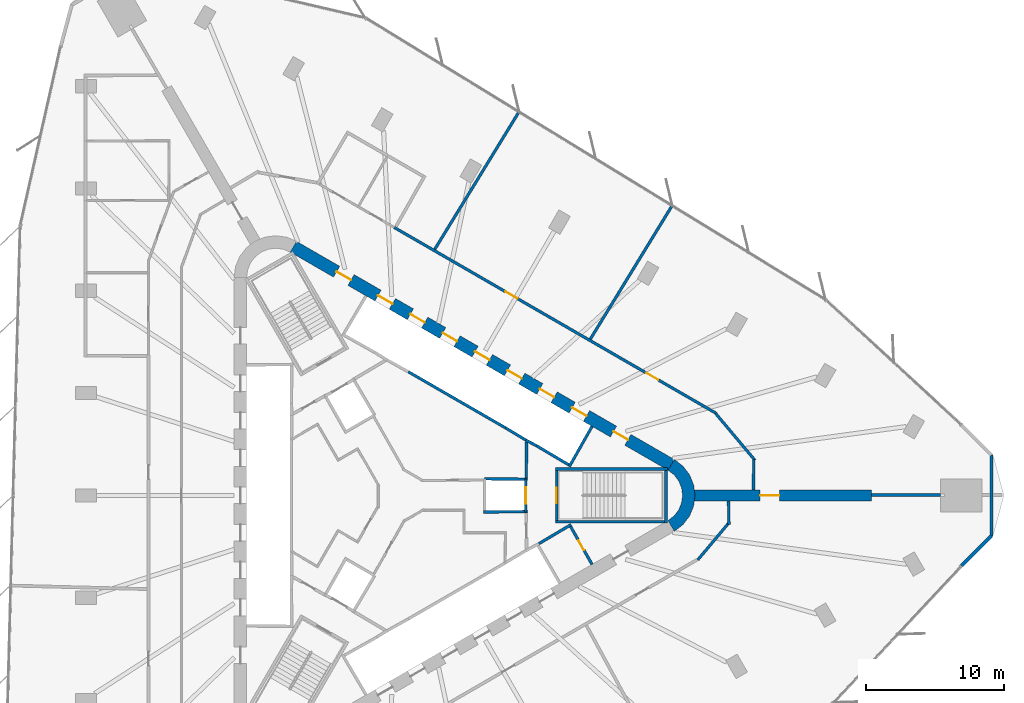
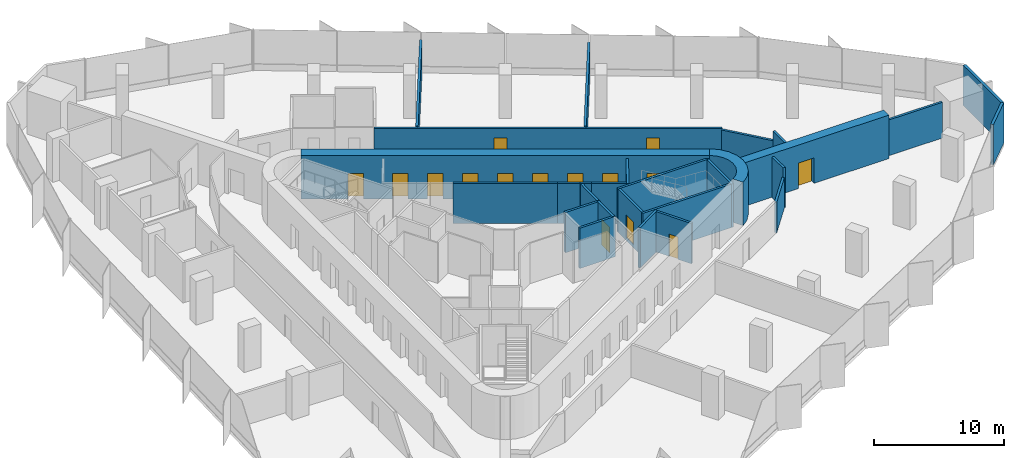
# One storey, part 12 of 14: 28 walls, 15 doors, 15 openings.
"""IFC4 building model written with IfcOpenShell, lengths in metres."""

import ifcopenshell
import ifcopenshell.guid

model = None  # the IFC model being written
_history = None  # IfcOwnerHistory: only IFC2X3 demands one
_inside = {}  # id of a spatial element -> (the spatial element, [elements in it])
_under = {}  # id of a project, library or spatial element -> (it, [spatial elements below it])
_declared = {}  # id of a project -> (the project, [libraries it declares])
_typed = {}  # id of a type object -> (the type object, [elements of that type])
_made_of = {}  # id of a material, layer set ... -> (it, [elements and type objects made of it])


def new_model(schema):
    """Start an empty IFC model of exactly this schema.

    Asked for "IFC4X3", IfcOpenShell would pick the latest addendum, in which some entities
    have other attributes; the version numbers below select the first issue.
    IFC2X3 requires an IfcOwnerHistory on every rooted entity: one is made here for all.
    """
    global model, _history
    if schema == "IFC4X3":
        model = ifcopenshell.file(schema_version=(4, 3, 0, 0))
    else:
        model = ifcopenshell.file(schema=schema)
    _inside.clear()
    _under.clear()
    _declared.clear()
    _typed.clear()
    _made_of.clear()
    _history = None
    if model.schema == "IFC2X3":
        org = make("IfcOrganization", Name="unknown")
        user = make(
            "IfcPersonAndOrganization",
            ThePerson=make("IfcPerson", FamilyName="unknown"),
            TheOrganization=org,
        )
        app = make(
            "IfcApplication",
            ApplicationDeveloper=org,
            Version="unknown",
            ApplicationFullName="unknown",
            ApplicationIdentifier="unknown",
        )
        _history = make(
            "IfcOwnerHistory",
            OwningUser=user,
            OwningApplication=app,
            ChangeAction="ADDED",
            CreationDate=0,
        )
    return model


def make(cls, **values):
    """One entity of the class cls with the attributes given. An attribute that is None is left unset."""
    return model.create_entity(
        cls, **{name: value for name, value in values.items() if value is not None}
    )


def rooted(cls, **values):
    """An entity with a GlobalId (a new one), such as an element, a storey or a relation."""
    return make(cls, GlobalId=ifcopenshell.guid.new(), OwnerHistory=_history, **values)


def si_unit(unit_type, name, prefix=None):
    """IfcSIUnit, for example si_unit("LENGTHUNIT", "METRE", prefix="MILLI")."""
    return make("IfcSIUnit", UnitType=unit_type, Prefix=prefix, Name=name)


def assignment(units):
    """IfcUnitAssignment: the units of a project."""
    return None if units is None else make("IfcUnitAssignment", Units=units)


def point(xyz):
    """IfcCartesianPoint."""
    return None if xyz is None else make("IfcCartesianPoint", Coordinates=xyz)


def direction(xyz):
    """IfcDirection."""
    return None if xyz is None else make("IfcDirection", DirectionRatios=xyz)


def frame(location, z_axis=None, x_axis=None):
    """IfcAxis2Placement3D, a coordinate frame: its origin and axes. An axis left out is left unset."""
    return make(
        "IfcAxis2Placement3D",
        Location=point(location),
        Axis=direction(z_axis),
        RefDirection=direction(x_axis),
    )


def frame_2d(location, x_axis=None):
    """IfcAxis2Placement2D, a coordinate frame in the plane: its origin and x axis."""
    return make(
        "IfcAxis2Placement2D", Location=point(location), RefDirection=direction(x_axis)
    )


def origin():
    """The frame at (0, 0, 0) with its axes left unset."""
    return frame((0.0, 0.0, 0.0))


def place(relative_to, where):
    """IfcLocalPlacement: puts the frame where relative to a parent placement (None: the world)."""
    return make(
        "IfcLocalPlacement", PlacementRelTo=relative_to, RelativePlacement=where
    )


def context(
    kind, dimensions, precision=None, world=None, true_north=None, identifier=None
):
    """IfcGeometricRepresentationContext, for example the 3D "Model" context."""
    return make(
        "IfcGeometricRepresentationContext",
        ContextIdentifier=identifier,
        ContextType=kind,
        CoordinateSpaceDimension=dimensions,
        Precision=precision,
        WorldCoordinateSystem=world,
        TrueNorth=true_north,
    )


def subcontext(parent, identifier, kind, view, scale=None):
    """IfcGeometricRepresentationSubContext, for example "Body" below "Model"."""
    return make(
        "IfcGeometricRepresentationSubContext",
        ContextIdentifier=identifier,
        ContextType=kind,
        ParentContext=parent,
        TargetScale=scale,
        TargetView=view,
    )


def project(units=None, contexts=None):
    """IfcProject with its units and contexts."""
    return rooted(
        "IfcProject",
        Name="project",
        RepresentationContexts=contexts,
        UnitsInContext=assignment(units),
    )


def spatial(cls, under=None, at=None, **own):
    """A site, building, storey or space (cls), placed at a placement, below another one or the project."""
    s = rooted(cls, ObjectPlacement=at, **own)
    if under is not None:
        _under.setdefault(under.id(), (under, []))[1].append(s)
    return s


def polyline(points):
    """IfcPolyline through the points."""
    return make("IfcPolyline", Points=[point(p) for p in points])


def profile(cls, at=None, kind="AREA", **sizes):
    """A parametric profile (cls). Its sizes go by their IFC names, for example OverallWidth=200.0."""
    return make(cls, ProfileType=kind, Position=at, **sizes)


def rectangle(**sizes):
    """IfcRectangleProfileDef."""
    return profile("IfcRectangleProfileDef", **sizes)


def outline(outer, holes=None, kind="AREA"):
    """IfcArbitraryClosedProfileDef: a profile drawn as a closed curve; with holes, ...WithVoids."""
    if holes is None:
        return make("IfcArbitraryClosedProfileDef", ProfileType=kind, OuterCurve=outer)
    return make(
        "IfcArbitraryProfileDefWithVoids",
        ProfileType=kind,
        OuterCurve=outer,
        InnerCurves=holes,
    )


def extrude(swept, where, along, depth):
    """IfcExtrudedAreaSolid: the profile swept, set in the frame where, extruded along a direction by depth."""
    return make(
        "IfcExtrudedAreaSolid",
        SweptArea=swept,
        Position=where,
        ExtrudedDirection=direction(along),
        Depth=depth,
    )


def shape(context_of_items, identifier, shape_type, items):
    """IfcShapeRepresentation: the items that make up one representation, for example the "Body"."""
    return make(
        "IfcShapeRepresentation",
        ContextOfItems=context_of_items,
        RepresentationIdentifier=identifier,
        RepresentationType=shape_type,
        Items=items,
    )


def material(Name=None, Category=None):
    """IfcMaterial."""
    return make("IfcMaterial", Name=Name, Category=Category)


def layer(
    of_material, thickness, ventilated=None, Name=None, Category=None, Priority=None
):
    """IfcMaterialLayer: one layer of a wall or slab, of a material (None: an air gap)."""
    return make(
        "IfcMaterialLayer",
        Material=of_material,
        LayerThickness=thickness,
        IsVentilated=ventilated,
        Name=Name,
        Category=Category,
        Priority=Priority,
    )


def layer_set(layers, Name=None):
    """IfcMaterialLayerSet."""
    return make("IfcMaterialLayerSet", MaterialLayers=layers, LayerSetName=Name)


def made_of(thing, what):
    """Note that an element or type object is made of a material, layer set ...; save() writes the relation."""
    if what is not None:
        _made_of.setdefault(what.id(), (what, []))[1].append(thing)
    return thing


def type_object(cls, material=None, **own):
    """A type object (cls), such as IfcWallType, which elements share."""
    return made_of(rooted(cls, **own), material)


def element(
    cls,
    number,
    at=None,
    inside=None,
    cuts=None,
    type_object=None,
    material=None,
    context=None,
    identifier="Body",
    shape_type=None,
    held_by="IfcProductDefinitionShape",
    body=None,
    shapes=None,
    **own,
):
    """One element of the class cls, such as IfcWall. Its Tag is "e" and its number.

    at: its placement. inside: the storey or other place that contains it. cuts: it is an
    opening in that element (IfcRelVoidsElement). A single representation is given by context,
    identifier, shape_type and body (its items); several are given by shapes. held_by: the class
    of the entity that holds the representations. save() writes the other relations.
    """
    e = rooted(cls, Tag="e%d" % number, ObjectPlacement=at, **own)
    if body is not None:
        shapes = [shape(context, identifier, shape_type, body)]
    if shapes is not None:
        e.Representation = make(held_by, Representations=shapes)
    if inside is not None:
        _inside.setdefault(inside.id(), (inside, []))[1].append(e)
    if cuts is not None:
        rooted(
            "IfcRelVoidsElement", RelatingBuildingElement=cuts, RelatedOpeningElement=e
        )
    if type_object is not None:
        _typed.setdefault(type_object.id(), (type_object, []))[1].append(e)
    return made_of(e, material)


def fill(opening, filler):
    """IfcRelFillsElement: the door or window that sits in an opening."""
    return rooted(
        "IfcRelFillsElement",
        RelatingOpeningElement=opening,
        RelatedBuildingElement=filler,
    )


def aggregate(whole, parts):
    """IfcRelAggregates: a whole, such as a stair, and the parts it consists of."""
    return rooted("IfcRelAggregates", RelatingObject=whole, RelatedObjects=parts)


def save(model, path):
    """Write the relations noted so far, then the file.

    IfcRelAggregates (storeys below a building ...), IfcRelContainedInSpatialStructure (elements
    in a storey), IfcRelDefinesByType, IfcRelAssociatesMaterial and IfcRelDeclares: one each for
    every whole, place, type object, material and project.
    """
    for whole, parts in _under.values():
        aggregate(whole, parts)
    for where, things in _inside.values():
        rooted(
            "IfcRelContainedInSpatialStructure",
            RelatedElements=things,
            RelatingStructure=where,
        )
    for kind, things in _typed.values():
        rooted("IfcRelDefinesByType", RelatedObjects=things, RelatingType=kind)
    for what, things in _made_of.values():
        rooted("IfcRelAssociatesMaterial", RelatedObjects=things, RelatingMaterial=what)
    for by, libraries in _declared.values():
        rooted("IfcRelDeclares", RelatingContext=by, RelatedDefinitions=libraries)
    model.write(path)


model = new_model("IFC4")

# Units and contexts
model_context = context("Model", 3, precision=1e-05, world=origin(), true_north=direction((0.0, 1.0)))
body_context = subcontext(model_context, "Body", "Model", "MODEL_VIEW")
ifc_project = project(units=[si_unit("LENGTHUNIT", "METRE"), si_unit("AREAUNIT", "SQUARE_METRE"), si_unit("VOLUMEUNIT", "CUBIC_METRE"), si_unit("PLANEANGLEUNIT", "RADIAN"), si_unit("MASSUNIT", "GRAM", prefix="KILO")], contexts=[model_context])

# Site, building, storey
site_placement = place(None, origin())
site = spatial("IfcSite", under=ifc_project, at=site_placement, CompositionType="ELEMENT")
building_placement = place(site_placement, origin())
building = spatial("IfcBuilding", under=site, at=building_placement, Name="Tanit Gate Tower", CompositionType="ELEMENT")
storey_placement = place(building_placement, frame((0.0, 0.0, 119.300048828125)))
storey = spatial("IfcBuildingStorey", under=building, at=storey_placement, Name="L25", CompositionType="ELEMENT", Elevation=119.300048828125)

# Wall, opening, door
ifc_material_1 = material(Name="Concrete C60/75", Category="concrete")
ifc_layer_1 = layer(ifc_material_1, 0.800048828125)
ifc_layer_set_1 = layer_set([ifc_layer_1], Name="BUTTRESS FIN 800 C60/75")
wall_type_1 = type_object("IfcWallType", Name="BUTTRESS FIN 800 C60/75", PredefinedType="SHEAR", material=ifc_layer_set_1)
wall_1_placement = place(storey_placement, frame((21.14990234375, 0.0, 0.0), z_axis=(0.0, 0.0, 1.0), x_axis=(1.0, 0.0, 0.0)))
wall_1 = element("IfcWall", 1, at=wall_1_placement, inside=storey, type_object=wall_type_1, Name="BUTTRESS FIN", PredefinedType="SHEAR", context=body_context, shape_type="SweptSolid", body=[
    extrude(rectangle(XDim=12.8125, YDim=0.800048828125, at=frame_2d((6.40625, 0.0))), origin(), (0.0, 0.0, 1.0), 4.099853515625),
])
opening_1_placement = place(wall_1_placement, frame((4.75, 0.0, 0.0)))
opening_1 = element("IfcOpeningElement", 2, at=opening_1_placement, cuts=wall_1, Name="Opening P14-S06-F-E-1", PredefinedType="OPENING", context=body_context, shape_type="SweptSolid", body=[
    extrude(rectangle(XDim=1.39990234375, YDim=2.39990234375, at=frame_2d((0.699951171875, 1.199951171875))), frame((0.0, 0.41015625, 0.0), z_axis=(0.0, -1.0, 0.0), x_axis=(1.0, 0.0, 0.0)), (0.0, 0.0, 1.0), 0.820068359375),
])
ifc_material_2 = material(Name="Timber door leaf", Category="wood")
door_type_1 = type_object("IfcDoorType", Name="INT-DOOR-FIN-PAIR-1400", OperationType="NOTDEFINED", PredefinedType="NOTDEFINED", material=ifc_material_2)
door_1_placement = place(opening_1_placement, origin())
door_1 = element("IfcDoor", 3, at=door_1_placement, inside=storey, type_object=door_type_1, Name="Door P14-S06-F-E-1", OperationType="DOUBLE_DOOR_SINGLE_SWING", OverallHeight=2.39990234375, OverallWidth=1.39990234375, PredefinedType="NOTDEFINED", context=body_context, shape_type="SweptSolid", body=[
    extrude(rectangle(XDim=1.39990234375, YDim=2.39990234375, at=frame_2d((0.699951171875, 1.199951171875))), frame((0.0, 0.02490234375, 0.0), z_axis=(0.0, -1.0, 0.0), x_axis=(1.0, 0.0, 0.0)), (0.0, 0.0, 1.0), 0.050048828125),
])
fill(opening_1, door_1)

# Wall, openings, doors
ifc_material_3 = material(Name="Concrete C60/75", Category="concrete")
ifc_layer_2 = layer(ifc_material_3, 0.89990234375)
ifc_layer_set_2 = layer_set([ifc_layer_2], Name="CORE WALL 900 C60/75")
wall_type_2 = type_object("IfcWallType", Name="CORE WALL 900 C60/75", PredefinedType="SHEAR", material=ifc_layer_set_2)
wall_2_placement = place(storey_placement, frame((19.47509765625, 2.20849609375, 0.0), z_axis=(0.0, 0.0, 1.0), x_axis=(-0.866028369851, 0.499994862586, 0.0)))
wall_2 = element("IfcWall", 4, at=wall_2_placement, inside=storey, type_object=wall_type_2, Name="CORE WALL", PredefinedType="SHEAR", context=body_context, shape_type="SweptSolid", body=[
    extrude(rectangle(XDim=31.523193359375, YDim=0.89990234375, at=frame_2d((15.76171875, 0.0))), origin(), (0.0, 0.0, 1.0), 4.099853515625),
])
opening_2_placement = place(wall_2_placement, frame((7.0615234375, 0.0, 0.0)))
opening_2 = element("IfcOpeningElement", 5, at=opening_2_placement, cuts=wall_2, Name="Opening LDLL8-S06", PredefinedType="OPENING", context=body_context, shape_type="SweptSolid", body=[
    extrude(rectangle(XDim=1.199951171875, YDim=2.39990234375, at=frame_2d((0.60009765625, 1.199951171875))), frame((0.0, 0.4599609375, 0.0), z_axis=(0.0, -1.0, 0.0), x_axis=(1.0, 0.0, 0.0)), (0.0, 0.0, 1.0), 0.919921875),
])
opening_3_placement = place(wall_2_placement, frame((9.76171875, 0.0, 0.0)))
opening_3 = element("IfcOpeningElement", 6, at=opening_3_placement, cuts=wall_2, Name="Opening LDLL9-S06", PredefinedType="OPENING", context=body_context, shape_type="SweptSolid", body=[
    extrude(rectangle(XDim=1.199951171875, YDim=2.39990234375, at=frame_2d((0.60009765625, 1.199951171875))), frame((0.0, 0.4599609375, 0.0), z_axis=(0.0, -1.0, 0.0), x_axis=(1.0, 0.0, 0.0)), (0.0, 0.0, 1.0), 0.919921875),
])
opening_4_placement = place(wall_2_placement, frame((12.461669921875, 0.0, 0.0)))
opening_4 = element("IfcOpeningElement", 7, at=opening_4_placement, cuts=wall_2, Name="Opening LDLL10-S06", PredefinedType="OPENING", context=body_context, shape_type="SweptSolid", body=[
    extrude(rectangle(XDim=1.199951171875, YDim=2.39990234375, at=frame_2d((0.60009765625, 1.199951171875))), frame((0.0, 0.4599609375, 0.0), z_axis=(0.0, -1.0, 0.0), x_axis=(1.0, 0.0, 0.0)), (0.0, 0.0, 1.0), 0.919921875),
])
opening_5_placement = place(wall_2_placement, frame((15.16162109375, 0.0, 0.0)))
opening_5 = element("IfcOpeningElement", 8, at=opening_5_placement, cuts=wall_2, Name="Opening LDSL1-S06", PredefinedType="OPENING", context=body_context, shape_type="SweptSolid", body=[
    extrude(rectangle(XDim=1.199951171875, YDim=2.39990234375, at=frame_2d((0.60009765625, 1.199951171875))), frame((0.0, 0.4599609375, 0.0), z_axis=(0.0, -1.0, 0.0), x_axis=(1.0, 0.0, 0.0)), (0.0, 0.0, 1.0), 0.919921875),
])
opening_6_placement = place(wall_2_placement, frame((17.861572265625, 0.0, 0.0)))
opening_6 = element("IfcOpeningElement", 9, at=opening_6_placement, cuts=wall_2, Name="Opening LDSL2-S06", PredefinedType="OPENING", context=body_context, shape_type="SweptSolid", body=[
    extrude(rectangle(XDim=1.199951171875, YDim=2.39990234375, at=frame_2d((0.60009765625, 1.199951171875))), frame((0.0, 0.4599609375, 0.0), z_axis=(0.0, -1.0, 0.0), x_axis=(1.0, 0.0, 0.0)), (0.0, 0.0, 1.0), 0.919921875),
])
opening_7_placement = place(wall_2_placement, frame((20.5615234375, 0.0, 0.0)))
opening_7 = element("IfcOpeningElement", 10, at=opening_7_placement, cuts=wall_2, Name="Opening LDSL3-S06", PredefinedType="OPENING", context=body_context, shape_type="SweptSolid", body=[
    extrude(rectangle(XDim=1.199951171875, YDim=2.39990234375, at=frame_2d((0.60009765625, 1.199951171875))), frame((0.0, 0.4599609375, 0.0), z_axis=(0.0, -1.0, 0.0), x_axis=(1.0, 0.0, 0.0)), (0.0, 0.0, 1.0), 0.919921875),
])
opening_8_placement = place(wall_2_placement, frame((23.26171875, 0.0, 0.0)))
opening_8 = element("IfcOpeningElement", 11, at=opening_8_placement, cuts=wall_2, Name="Opening LDSL4-S06", PredefinedType="OPENING", context=body_context, shape_type="SweptSolid", body=[
    extrude(rectangle(XDim=1.199951171875, YDim=2.39990234375, at=frame_2d((0.60009765625, 1.199951171875))), frame((0.0, 0.4599609375, 0.0), z_axis=(0.0, -1.0, 0.0), x_axis=(1.0, 0.0, 0.0)), (0.0, 0.0, 1.0), 0.919921875),
])
opening_9_placement = place(wall_2_placement, frame((3.611572265625, 0.0, 0.0)))
opening_9 = element("IfcOpeningElement", 12, at=opening_9_placement, cuts=wall_2, Name="Opening F12-S06-FL1", PredefinedType="OPENING", context=body_context, shape_type="SweptSolid", body=[
    extrude(rectangle(XDim=1.199951171875, YDim=2.39990234375, at=frame_2d((0.60009765625, 1.199951171875))), frame((0.0, 0.4599609375, 0.0), z_axis=(0.0, -1.0, 0.0), x_axis=(1.0, 0.0, 0.0)), (0.0, 0.0, 1.0), 0.919921875),
])
opening_10_placement = place(wall_2_placement, frame((26.711669921875, 0.0, 0.0)))
opening_10 = element("IfcOpeningElement", 13, at=opening_10_placement, cuts=wall_2, Name="Opening F12-S06-S2", PredefinedType="OPENING", context=body_context, shape_type="SweptSolid", body=[
    extrude(rectangle(XDim=1.199951171875, YDim=2.39990234375, at=frame_2d((0.60009765625, 1.199951171875))), frame((0.0, 0.4599609375, 0.0), z_axis=(0.0, -1.0, 0.0), x_axis=(1.0, 0.0, 0.0)), (0.0, 0.0, 1.0), 0.919921875),
])
ifc_material_4 = material(Name="Fire-rated steel door leaf", Category="steel")
door_type_2 = type_object("IfcDoorType", Name="INT-DOOR-FIRE-LOBBY-1200", OperationType="NOTDEFINED", PredefinedType="USERDEFINED", material=ifc_material_4)
door_2_placement = place(opening_9_placement, origin())
door_2 = element("IfcDoor", 14, at=door_2_placement, inside=storey, type_object=door_type_2, Name="Door F12-S06-FL1", ObjectType="FIRE DOOR", OperationType="SINGLE_SWING_RIGHT", OverallHeight=2.39990234375, OverallWidth=1.199951171875, PredefinedType="USERDEFINED", context=body_context, shape_type="SweptSolid", body=[
    extrude(rectangle(XDim=1.199951171875, YDim=2.39990234375, at=frame_2d((0.60009765625, 1.199951171875))), frame((0.0, 0.02490234375, 0.0), z_axis=(0.0, -1.0, 0.0), x_axis=(1.0, 0.0, 0.0)), (0.0, 0.0, 1.0), 0.050048828125),
])
fill(opening_9, door_2)
door_3_placement = place(opening_10_placement, origin())
door_3 = element("IfcDoor", 15, at=door_3_placement, inside=storey, type_object=door_type_2, Name="Door F12-S06-S2", ObjectType="FIRE DOOR", OperationType="SINGLE_SWING_LEFT", OverallHeight=2.39990234375, OverallWidth=1.199951171875, PredefinedType="USERDEFINED", context=body_context, shape_type="SweptSolid", body=[
    extrude(rectangle(XDim=1.199951171875, YDim=2.39990234375, at=frame_2d((0.60009765625, 1.199951171875))), frame((0.0, 0.02490234375, 0.0), z_axis=(0.0, -1.0, 0.0), x_axis=(1.0, 0.0, 0.0)), (0.0, 0.0, 1.0), 0.050048828125),
])
fill(opening_10, door_3)
ifc_material_5 = material(Name="Stainless steel sliding door leaf", Category="steel")
door_type_3 = type_object("IfcDoorType", Name="INT-DOOR-LANDING-1200", OperationType="NOTDEFINED", PredefinedType="USERDEFINED", material=ifc_material_5)
door_4_placement = place(opening_2_placement, origin())
door_4 = element("IfcDoor", 16, at=door_4_placement, inside=storey, type_object=door_type_3, Name="Door LDLL8-S06", ObjectType="LANDING DOOR", OperationType="SLIDING_TO_LEFT", OverallHeight=2.39990234375, OverallWidth=1.199951171875, PredefinedType="USERDEFINED", context=body_context, shape_type="SweptSolid", body=[
    extrude(rectangle(XDim=1.199951171875, YDim=2.39990234375, at=frame_2d((0.60009765625, 1.199951171875))), frame((0.0, 0.02490234375, 0.0), z_axis=(0.0, -1.0, 0.0), x_axis=(1.0, 0.0, 0.0)), (0.0, 0.0, 1.0), 0.050048828125),
])
fill(opening_2, door_4)
door_5_placement = place(opening_3_placement, origin())
door_5 = element("IfcDoor", 17, at=door_5_placement, inside=storey, type_object=door_type_3, Name="Door LDLL9-S06", ObjectType="LANDING DOOR", OperationType="SLIDING_TO_LEFT", OverallHeight=2.39990234375, OverallWidth=1.199951171875, PredefinedType="USERDEFINED", context=body_context, shape_type="SweptSolid", body=[
    extrude(rectangle(XDim=1.199951171875, YDim=2.39990234375, at=frame_2d((0.60009765625, 1.199951171875))), frame((0.0, 0.02490234375, 0.0), z_axis=(0.0, -1.0, 0.0), x_axis=(1.0, 0.0, 0.0)), (0.0, 0.0, 1.0), 0.050048828125),
])
fill(opening_3, door_5)
door_6_placement = place(opening_4_placement, origin())
door_6 = element("IfcDoor", 18, at=door_6_placement, inside=storey, type_object=door_type_3, Name="Door LDLL10-S06", ObjectType="LANDING DOOR", OperationType="SLIDING_TO_LEFT", OverallHeight=2.39990234375, OverallWidth=1.199951171875, PredefinedType="USERDEFINED", context=body_context, shape_type="SweptSolid", body=[
    extrude(rectangle(XDim=1.199951171875, YDim=2.39990234375, at=frame_2d((0.60009765625, 1.199951171875))), frame((0.0, 0.02490234375, 0.0), z_axis=(0.0, -1.0, 0.0), x_axis=(1.0, 0.0, 0.0)), (0.0, 0.0, 1.0), 0.050048828125),
])
fill(opening_4, door_6)
door_7_placement = place(opening_5_placement, origin())
door_7 = element("IfcDoor", 19, at=door_7_placement, inside=storey, type_object=door_type_3, Name="Door LDSL1-S06", ObjectType="LANDING DOOR", OperationType="SLIDING_TO_LEFT", OverallHeight=2.39990234375, OverallWidth=1.199951171875, PredefinedType="USERDEFINED", context=body_context, shape_type="SweptSolid", body=[
    extrude(rectangle(XDim=1.199951171875, YDim=2.39990234375, at=frame_2d((0.60009765625, 1.199951171875))), frame((0.0, 0.02490234375, 0.0), z_axis=(0.0, -1.0, 0.0), x_axis=(1.0, 0.0, 0.0)), (0.0, 0.0, 1.0), 0.050048828125),
])
fill(opening_5, door_7)
door_8_placement = place(opening_6_placement, origin())
door_8 = element("IfcDoor", 20, at=door_8_placement, inside=storey, type_object=door_type_3, Name="Door LDSL2-S06", ObjectType="LANDING DOOR", OperationType="SLIDING_TO_LEFT", OverallHeight=2.39990234375, OverallWidth=1.199951171875, PredefinedType="USERDEFINED", context=body_context, shape_type="SweptSolid", body=[
    extrude(rectangle(XDim=1.199951171875, YDim=2.39990234375, at=frame_2d((0.60009765625, 1.199951171875))), frame((0.0, 0.02490234375, 0.0), z_axis=(0.0, -1.0, 0.0), x_axis=(1.0, 0.0, 0.0)), (0.0, 0.0, 1.0), 0.050048828125),
])
fill(opening_6, door_8)
door_9_placement = place(opening_7_placement, origin())
door_9 = element("IfcDoor", 21, at=door_9_placement, inside=storey, type_object=door_type_3, Name="Door LDSL3-S06", ObjectType="LANDING DOOR", OperationType="SLIDING_TO_LEFT", OverallHeight=2.39990234375, OverallWidth=1.199951171875, PredefinedType="USERDEFINED", context=body_context, shape_type="SweptSolid", body=[
    extrude(rectangle(XDim=1.199951171875, YDim=2.39990234375, at=frame_2d((0.60009765625, 1.199951171875))), frame((0.0, 0.02490234375, 0.0), z_axis=(0.0, -1.0, 0.0), x_axis=(1.0, 0.0, 0.0)), (0.0, 0.0, 1.0), 0.050048828125),
])
fill(opening_7, door_9)
door_10_placement = place(opening_8_placement, origin())
door_10 = element("IfcDoor", 22, at=door_10_placement, inside=storey, type_object=door_type_3, Name="Door LDSL4-S06", ObjectType="LANDING DOOR", OperationType="SLIDING_TO_LEFT", OverallHeight=2.39990234375, OverallWidth=1.199951171875, PredefinedType="USERDEFINED", context=body_context, shape_type="SweptSolid", body=[
    extrude(rectangle(XDim=1.199951171875, YDim=2.39990234375, at=frame_2d((0.60009765625, 1.199951171875))), frame((0.0, 0.02490234375, 0.0), z_axis=(0.0, -1.0, 0.0), x_axis=(1.0, 0.0, 0.0)), (0.0, 0.0, 1.0), 0.050048828125),
])
fill(opening_8, door_10)

# Walls
wall_3_placement = place(storey_placement, origin())
element("IfcWall", 23, at=wall_3_placement, inside=storey, type_object=wall_type_2, Name="CORE WALL CORNER", PredefinedType="SHEAR", context=body_context, shape_type="SweptSolid", body=[
    extrude(outline(polyline([(19.699951171875, -2.59814453125), (20.3212890625, -2.121337890625), (20.798095703125, -1.5), (21.097900390625, -0.776611328125), (21.199951171875, 0.0), (21.097900390625, 0.776611328125), (20.798095703125, 1.5), (20.3212890625, 2.121337890625), (19.699951171875, 2.59814453125), (19.25, 1.818603515625), (19.684814453125, 1.48486328125), (20.018798828125, 1.050048828125), (20.228515625, 0.54345703125), (20.300048828125, 0.0), (20.228515625, -0.54345703125), (20.018798828125, -1.050048828125), (19.684814453125, -1.48486328125), (19.25, -1.818603515625), (19.699951171875, -2.59814453125)])), origin(), (0.0, 0.0, 1.0), 4.099853515625),
])
ifc_material_6 = material(Name="Concrete C30/37 with bronze anodised aluminium cladding", Category="concrete")
ifc_layer_3 = layer(ifc_material_6, 0.239990234375)
ifc_layer_set_3 = layer_set([ifc_layer_3], Name="Facade wall bronze clad 240")
wall_type_3 = type_object("IfcWallType", Name="Facade wall bronze clad 240", PredefinedType="SOLIDWALL", material=ifc_layer_set_3)
wall_4_placement = place(storey_placement, frame((40.45166015625, -5.091064453125, 0.0), z_axis=(0.0, 0.0, 1.0), x_axis=(0.707106781187, 0.707106781187, 0.0)))
element("IfcWall", 24, at=wall_4_placement, inside=storey, type_object=wall_type_3, Name="Bronze-clad facade wall L25 E.arc1", PredefinedType="SOLIDWALL", context=body_context, shape_type="SweptSolid", body=[
    extrude(rectangle(XDim=3.062744140625, YDim=0.239990234375, at=frame_2d((1.53125, 0.0))), origin(), (0.0, 0.0, 1.0), 3.800048828125),
])
wall_5_placement = place(storey_placement, frame((42.617431640625, -2.92529296875, 0.0), z_axis=(0.0, 0.0, 1.0), x_axis=(0.0, 1.0, 0.0)))
element("IfcWall", 25, at=wall_5_placement, inside=storey, type_object=wall_type_3, Name="Bronze-clad facade wall L25 E.arc2", PredefinedType="SOLIDWALL", context=body_context, shape_type="SweptSolid", body=[
    extrude(rectangle(XDim=5.8505859375, YDim=0.239990234375, at=frame_2d((2.92529296875, 0.0))), origin(), (0.0, 0.0, 1.0), 3.800048828125),
])
ifc_material_7 = material(Name="Fire-rated gypsum board partition")
ifc_layer_4 = layer(ifc_material_7, 0.199951171875)
ifc_layer_set_4 = layer_set([ifc_layer_4], Name="INT-WALL-COMPARTMENT")
wall_type_4 = type_object("IfcWallType", Name="INT-WALL-COMPARTMENT", PredefinedType="PARTITIONING", material=ifc_layer_set_4)
wall_6_placement = place(storey_placement, frame((12.244873046875, -2.10888671875, 0.0), z_axis=(0.0, 0.0, 1.0), x_axis=(-0.860414880418, -0.509594185166, 0.0)))
element("IfcWall", 26, at=wall_6_placement, inside=storey, type_object=wall_type_4, Name="Wall Compartment W057", PredefinedType="PARTITIONING", context=body_context, shape_type="SweptSolid", body=[
    extrude(rectangle(XDim=2.7001953125, YDim=0.199951171875, at=frame_2d((1.35009765625, 0.0))), origin(), (0.0, 0.0, 1.0), 3.800048828125),
])

# Wall, opening, door
wall_7_placement = place(storey_placement, frame((13.758056640625, -4.989501953125, 0.0), z_axis=(0.0, 0.0, 1.0), x_axis=(-0.491993409184, 0.87059892334, 0.0)))
wall_7 = element("IfcWall", 27, at=wall_7_placement, inside=storey, type_object=wall_type_4, Name="Wall Compartment W058", PredefinedType="PARTITIONING", context=body_context, shape_type="SweptSolid", body=[
    extrude(rectangle(XDim=3.150146484375, YDim=0.199951171875, at=frame_2d((1.5751953125, 0.0))), origin(), (0.0, 0.0, 1.0), 3.800048828125),
])
opening_11_placement = place(wall_7_placement, frame((1.175048828125, 0.0, 0.0)))
opening_11 = element("IfcOpeningElement", 28, at=opening_11_placement, cuts=wall_7, Name="Opening R08-S06-13", PredefinedType="OPENING", context=body_context, shape_type="SweptSolid", body=[
    extrude(rectangle(XDim=0.800048828125, YDim=2.10009765625, at=frame_2d((0.39990234375, 1.050048828125))), frame((0.0, 0.10986328125, 0.0), z_axis=(0.0, -1.0, 0.0), x_axis=(1.0, 0.0, 0.0)), (0.0, 0.0, 1.0), 0.219970703125),
])
ifc_material_8 = material(Name="Timber door leaf", Category="wood")
door_type_4 = type_object("IfcDoorType", Name="INT-DOOR-RISER-800", OperationType="NOTDEFINED", PredefinedType="USERDEFINED", material=ifc_material_8)
door_11_placement = place(opening_11_placement, origin())
door_11 = element("IfcDoor", 29, at=door_11_placement, inside=storey, type_object=door_type_4, Name="Door R08-S06-13", ObjectType="FIRE DOOR", OperationType="SINGLE_SWING_LEFT", OverallHeight=2.10009765625, OverallWidth=0.800048828125, PredefinedType="USERDEFINED", context=body_context, shape_type="SweptSolid", body=[
    extrude(rectangle(XDim=0.800048828125, YDim=2.10009765625, at=frame_2d((0.39990234375, 1.050048828125))), frame((0.0, 0.02490234375, 0.0), z_axis=(0.0, -1.0, 0.0), x_axis=(1.0, 0.0, 0.0)), (0.0, 0.0, 1.0), 0.050048828125),
])
fill(opening_11, door_11)

# Wall
wall_8_placement = place(storey_placement, frame((9.0009765625, 1.27001953125, 0.0), z_axis=(0.0, 0.0, 1.0), x_axis=(0.010784614026, 0.999941844359, 0.0)))
element("IfcWall", 30, at=wall_8_placement, inside=storey, type_object=wall_type_4, Name="Wall Compartment W059", PredefinedType="PARTITIONING", context=body_context, shape_type="SweptSolid", body=[
    extrude(rectangle(XDim=2.580810546875, YDim=0.199951171875, at=frame_2d((1.29052734375, 0.0))), origin(), (0.0, 0.0, 1.0), 3.800048828125),
])

# Wall, openings, doors
wall_9_placement = place(storey_placement, frame((22.727294921875, 5.930908203125, 0.0), z_axis=(0.0, 0.0, 1.0), x_axis=(-0.866024609098, 0.500001376435, 0.0)))
wall_9 = element("IfcWall", 31, at=wall_9_placement, inside=storey, type_object=wall_type_4, Name="Wall Compartment W101", PredefinedType="PARTITIONING", context=body_context, shape_type="SweptSolid", body=[
    extrude(rectangle(XDim=26.84716796875, YDim=0.199951171875, at=frame_2d((13.423583984375, 0.0))), origin(), (0.0, 0.0, 1.0), 2.97998046875),
])
opening_12_placement = place(wall_9_placement, frame((16.57763671875, 0.0, 0.0)))
opening_12 = element("IfcOpeningElement", 32, at=opening_12_placement, cuts=wall_9, Name="Opening F10-S06-24", PredefinedType="OPENING", context=body_context, shape_type="SweptSolid", body=[
    extrude(rectangle(XDim=1.0, YDim=2.10009765625, at=frame_2d((0.5, 1.050048828125))), frame((0.0, 0.10986328125, 0.0), z_axis=(0.0, -1.0, 0.0), x_axis=(1.0, 0.0, 0.0)), (0.0, 0.0, 1.0), 0.219970703125),
])
opening_13_placement = place(wall_9_placement, frame((4.828857421875, 0.0, 0.0)))
opening_13 = element("IfcOpeningElement", 33, at=opening_13_placement, cuts=wall_9, Name="Opening F10-S06-25", PredefinedType="OPENING", context=body_context, shape_type="SweptSolid", body=[
    extrude(rectangle(XDim=1.0, YDim=2.10009765625, at=frame_2d((0.5, 1.050048828125))), frame((0.0, 0.10986328125, 0.0), z_axis=(0.0, -1.0, 0.0), x_axis=(1.0, 0.0, 0.0)), (0.0, 0.0, 1.0), 0.219970703125),
])
ifc_material_9 = material(Name="Fire-rated steel door leaf", Category="steel")
door_type_5 = type_object("IfcDoorType", Name="INT-DOOR-FIRE-1000", OperationType="NOTDEFINED", PredefinedType="USERDEFINED", material=ifc_material_9)
door_12_placement = place(opening_12_placement, origin())
door_12 = element("IfcDoor", 34, at=door_12_placement, inside=storey, type_object=door_type_5, Name="Door F10-S06-24", ObjectType="FIRE DOOR", OperationType="SINGLE_SWING_LEFT", OverallHeight=2.10009765625, OverallWidth=1.0, PredefinedType="USERDEFINED", context=body_context, shape_type="SweptSolid", body=[
    extrude(rectangle(XDim=1.0, YDim=2.10009765625, at=frame_2d((0.5, 1.050048828125))), frame((0.0, 0.02490234375, 0.0), z_axis=(0.0, -1.0, 0.0), x_axis=(1.0, 0.0, 0.0)), (0.0, 0.0, 1.0), 0.050048828125),
])
fill(opening_12, door_12)
door_13_placement = place(opening_13_placement, origin())
door_13 = element("IfcDoor", 35, at=door_13_placement, inside=storey, type_object=door_type_5, Name="Door F10-S06-25", ObjectType="FIRE DOOR", OperationType="SINGLE_SWING_LEFT", OverallHeight=2.10009765625, OverallWidth=1.0, PredefinedType="USERDEFINED", context=body_context, shape_type="SweptSolid", body=[
    extrude(rectangle(XDim=1.0, YDim=2.10009765625, at=frame_2d((0.5, 1.050048828125))), frame((0.0, 0.02490234375, 0.0), z_axis=(0.0, -1.0, 0.0), x_axis=(1.0, 0.0, 0.0)), (0.0, 0.0, 1.0), 0.050048828125),
])
fill(opening_13, door_13)

# Walls
wall_10_placement = place(storey_placement, frame((25.52099609375, 2.548095703125, 0.0), z_axis=(0.0, 0.0, 1.0), x_axis=(-0.642784253626, 0.766047259176, 0.0)))
element("IfcWall", 36, at=wall_10_placement, inside=storey, type_object=wall_type_4, Name="Wall Compartment W102", PredefinedType="PARTITIONING", context=body_context, shape_type="SweptSolid", body=[
    extrude(rectangle(XDim=4.381103515625, YDim=0.199951171875, at=frame_2d((2.1904296875, 0.0))), origin(), (0.0, 0.0, 1.0), 2.8798828125),
])
wall_11_placement = place(storey_placement, frame((25.420654296875, 0.39990234375, 0.0), z_axis=(0.0, 0.0, 1.0), x_axis=(0.011376843137, 0.999935281626, 0.0)))
element("IfcWall", 37, at=wall_11_placement, inside=storey, type_object=wall_type_4, Name="Wall Compartment W103", PredefinedType="PARTITIONING", context=body_context, shape_type="SweptSolid", body=[
    extrude(rectangle(XDim=2.18896484375, YDim=0.199951171875, at=frame_2d((1.094482421875, 0.0))), origin(), (0.0, 0.0, 1.0), 3.800048828125),
])
wall_12_placement = place(storey_placement, frame((23.64794921875, -2.097900390625, 0.0), z_axis=(0.0, 0.0, 1.0), x_axis=(-0.015095332307, 0.99988605898, 0.0)))
element("IfcWall", 38, at=wall_12_placement, inside=storey, type_object=wall_type_4, Name="Wall Compartment W106", PredefinedType="PARTITIONING", context=body_context, shape_type="SweptSolid", body=[
    extrude(rectangle(XDim=1.6982421875, YDim=0.199951171875, at=frame_2d((0.84912109375, 0.0))), origin(), (0.0, 0.0, 1.0), 3.800048828125),
])
wall_13_placement = place(storey_placement, frame((21.4013671875, -4.657470703125, 0.0), z_axis=(0.0, 0.0, 1.0), x_axis=(0.642796210095, 0.766037226437, 0.0)))
element("IfcWall", 39, at=wall_13_placement, inside=storey, type_object=wall_type_4, Name="Wall Compartment W107", PredefinedType="PARTITIONING", context=body_context, shape_type="SweptSolid", body=[
    extrude(rectangle(XDim=3.44287109375, YDim=0.199951171875, at=frame_2d((1.721435546875, 0.0))), origin(), (0.0, 0.0, 1.0), 2.8798828125),
])
wall_14_placement = place(storey_placement, frame((2.395263671875, 17.78515625, 0.0), z_axis=(0.0, 0.0, 1.0), x_axis=(0.522409107214, 0.852694977527, 0.0)))
element("IfcWall", 40, at=wall_14_placement, inside=storey, type_object=wall_type_4, Name="Wall Compartment W124", PredefinedType="PARTITIONING", context=body_context, shape_type="SweptSolid", body=[
    extrude(rectangle(XDim=11.641357421875, YDim=0.199951171875, at=frame_2d((5.82080078125, 0.0))), origin(), (0.0, 0.0, 1.0), 3.079833984375),
])
wall_15_placement = place(storey_placement, frame((19.540771484375, 20.933349609375, 0.0), z_axis=(0.0, 0.0, 1.0), x_axis=(-0.522401997829, -0.852699333097, 0.0)))
element("IfcWall", 41, at=wall_15_placement, inside=storey, type_object=wall_type_4, Name="Wall Compartment W130", PredefinedType="PARTITIONING", context=body_context, shape_type="SweptSolid", body=[
    extrude(rectangle(XDim=11.30322265625, YDim=0.199951171875, at=frame_2d((5.651611328125, 0.0))), origin(), (0.0, 0.0, 1.0), 3.079833984375),
])
wall_16_placement = place(storey_placement, frame((38.92529296875, 0.030029296875, 0.0), z_axis=(0.0, 0.0, 1.0), x_axis=(-1.0, 0.0, 0.0)))
element("IfcWall", 42, at=wall_16_placement, inside=storey, type_object=wall_type_4, Name="Wall Compartment W131", PredefinedType="PARTITIONING", context=body_context, shape_type="SweptSolid", body=[
    extrude(rectangle(XDim=4.962890625, YDim=0.199951171875, at=frame_2d((2.4814453125, 0.0))), origin(), (0.0, 0.0, 1.0), 3.369873046875),
])
ifc_material_10 = material(Name="Gypsum shaft wall system")
ifc_layer_5 = layer(ifc_material_10, 0.199951171875)
ifc_layer_set_5 = layer_set([ifc_layer_5], Name="INT-WALL-SHAFT")
wall_type_5 = type_object("IfcWallType", Name="INT-WALL-SHAFT", PredefinedType="PLUMBINGWALL", material=ifc_layer_set_5)
wall_17_placement = place(storey_placement, frame((7.497314453125, 4.885986328125, 0.0), z_axis=(0.0, 0.0, 1.0), x_axis=(-0.866030989016, 0.499990325971, 0.0)))
element("IfcWall", 43, at=wall_17_placement, inside=storey, type_object=wall_type_5, Name="Wall Shaft W003", PredefinedType="PLUMBINGWALL", context=body_context, shape_type="SweptSolid", body=[
    extrude(rectangle(XDim=8.099853515625, YDim=0.199951171875, at=frame_2d((4.0498046875, 0.0))), origin(), (0.0, 0.0, 1.0), 3.800048828125),
])
wall_18_placement = place(storey_placement, frame((12.10986328125, 2.07275390625, 0.0), z_axis=(0.0, 0.0, 1.0), x_axis=(0.49196600604, 0.870614408852, 0.0)))
element("IfcWall", 44, at=wall_18_placement, inside=storey, type_object=wall_type_5, Name="Wall Shaft W013", PredefinedType="PLUMBINGWALL", context=body_context, shape_type="SweptSolid", body=[
    extrude(rectangle(XDim=3.35009765625, YDim=0.199951171875, at=frame_2d((1.675048828125, 0.0))), origin(), (0.0, 0.0, 1.0), 3.800048828125),
])
wall_19_placement = place(storey_placement, frame((12.072998046875, 2.2109375, 0.0), z_axis=(0.0, 0.0, 1.0), x_axis=(-0.860438357912, 0.509554542943, 0.0)))
element("IfcWall", 45, at=wall_19_placement, inside=storey, type_object=wall_type_5, Name="Wall Shaft W014", PredefinedType="PLUMBINGWALL", context=body_context, shape_type="SweptSolid", body=[
    extrude(rectangle(XDim=2.700439453125, YDim=0.199951171875, at=frame_2d((1.35009765625, 0.0))), origin(), (0.0, 0.0, 1.0), 3.800048828125),
])
wall_20_placement = place(storey_placement, frame((9.74755859375, 3.583251953125, 0.0), z_axis=(0.0, 0.0, 1.0), x_axis=(-0.880917147855, 0.473270513147, 0.0)))
element("IfcWall", 46, at=wall_20_placement, inside=storey, type_object=wall_type_5, Name="Wall Shaft W015", PredefinedType="PLUMBINGWALL", context=body_context, shape_type="SweptSolid", body=[
    extrude(rectangle(XDim=0.8779296875, YDim=0.199951171875, at=frame_2d((0.43896484375, 0.0))), origin(), (0.0, 0.0, 1.0), 3.800048828125),
])
wall_21_placement = place(storey_placement, frame((9.0791015625, 3.93701171875, 0.0), z_axis=(0.0, 0.0, 1.0), x_axis=(-0.857516281273, 0.51445682749, 0.0)))
element("IfcWall", 47, at=wall_21_placement, inside=storey, type_object=wall_type_5, Name="Wall Shaft W016", PredefinedType="PLUMBINGWALL", context=body_context, shape_type="SweptSolid", body=[
    extrude(rectangle(XDim=1.8447265625, YDim=0.199951171875, at=frame_2d((0.92236328125, 0.0))), origin(), (0.0, 0.0, 1.0), 3.800048828125),
])

# Wall, opening, door
wall_22_placement = place(storey_placement, frame((8.969970703125, 1.199951171875, 0.0), z_axis=(0.0, 0.0, 1.0), x_axis=(0.0, -1.0, 0.0)))
wall_22 = element("IfcWall", 48, at=wall_22_placement, inside=storey, type_object=wall_type_5, Name="Wall Shaft W037", PredefinedType="PLUMBINGWALL", context=body_context, shape_type="SweptSolid", body=[
    extrude(rectangle(XDim=2.39990234375, YDim=0.199951171875, at=frame_2d((1.199951171875, 0.0))), origin(), (0.0, 0.0, 1.0), 3.800048828125),
])
opening_14_placement = place(wall_22_placement, frame((0.60009765625, 0.0, 0.0)))
opening_14 = element("IfcOpeningElement", 49, at=opening_14_placement, cuts=wall_22, Name="Opening LDFL1-L25", PredefinedType="OPENING", context=body_context, shape_type="SweptSolid", body=[
    extrude(rectangle(XDim=1.199951171875, YDim=2.39990234375, at=frame_2d((0.60009765625, 1.199951171875))), frame((0.0, 0.10986328125, 0.0), z_axis=(0.0, -1.0, 0.0), x_axis=(1.0, 0.0, 0.0)), (0.0, 0.0, 1.0), 0.219970703125),
])
door_14_placement = place(opening_14_placement, origin())
door_14 = element("IfcDoor", 50, at=door_14_placement, inside=storey, type_object=door_type_3, Name="Door LDFL1-L25", ObjectType="LANDING DOOR", OperationType="SLIDING_TO_LEFT", OverallHeight=2.39990234375, OverallWidth=1.199951171875, PredefinedType="USERDEFINED", context=body_context, shape_type="SweptSolid", body=[
    extrude(rectangle(XDim=1.199951171875, YDim=2.39990234375, at=frame_2d((0.60009765625, 1.199951171875))), frame((0.0, 0.02490234375, 0.0), z_axis=(0.0, -1.0, 0.0), x_axis=(1.0, 0.0, 0.0)), (0.0, 0.0, 1.0), 0.050048828125),
])
fill(opening_14, door_14)

# Walls
wall_23_placement = place(storey_placement, frame((6.0, 1.199951171875, 0.0), z_axis=(0.0, 0.0, 1.0), x_axis=(0.999949988, -0.010001074852, 0.0)))
element("IfcWall", 51, at=wall_23_placement, inside=storey, type_object=wall_type_5, Name="Wall Shaft W038", PredefinedType="PLUMBINGWALL", context=body_context, shape_type="SweptSolid", body=[
    extrude(rectangle(XDim=3.100341796875, YDim=0.199951171875, at=frame_2d((1.55029296875, 0.0))), origin(), (0.0, 0.0, 1.0), 3.800048828125),
])
wall_24_placement = place(storey_placement, frame((5.89990234375, -1.200927734375, 0.0), z_axis=(0.0, 0.0, 1.0), x_axis=(0.999950064753, 0.009993397809, 0.0)))
element("IfcWall", 52, at=wall_24_placement, inside=storey, type_object=wall_type_5, Name="Wall Shaft W039", PredefinedType="PLUMBINGWALL", context=body_context, shape_type="SweptSolid", body=[
    extrude(rectangle(XDim=3.200439453125, YDim=0.199951171875, at=frame_2d((1.60009765625, 0.0))), origin(), (0.0, 0.0, 1.0), 3.800048828125),
])
ifc_material_11 = material(Name="Concrete C40/50", Category="concrete")
ifc_layer_6 = layer(ifc_material_11, 0.199951171875)
ifc_layer_set_6 = layer_set([ifc_layer_6], Name="INT-WALL-STAIR")
wall_type_6 = type_object("IfcWallType", Name="INT-WALL-STAIR", PredefinedType="SHEAR", material=ifc_layer_set_6)
wall_25_placement = place(storey_placement, frame((19.199951171875, 1.89990234375, -0.300048828125), z_axis=(0.0, 0.0, 1.0), x_axis=(-1.0, 0.0, 0.0)))
element("IfcWall", 53, at=wall_25_placement, inside=storey, type_object=wall_type_6, Name="Wall Stair W033", PredefinedType="SHEAR", context=body_context, shape_type="SweptSolid", body=[
    extrude(rectangle(XDim=8.099853515625, YDim=0.199951171875, at=frame_2d((4.0498046875, 0.0))), origin(), (0.0, 0.0, 1.0), 4.10009765625),
])
wall_26_placement = place(storey_placement, frame((19.10009765625, -2.0, -0.300048828125), z_axis=(0.0, 0.0, 1.0), x_axis=(0.0, 1.0, 0.0)))
element("IfcWall", 54, at=wall_26_placement, inside=storey, type_object=wall_type_6, Name="Wall Stair W034", PredefinedType="SHEAR", context=body_context, shape_type="SweptSolid", body=[
    extrude(rectangle(XDim=3.800048828125, YDim=0.199951171875, at=frame_2d((1.89990234375, 0.0))), origin(), (0.0, 0.0, 1.0), 4.10009765625),
])
wall_27_placement = place(storey_placement, frame((11.10009765625, -1.89990234375, -0.300048828125), z_axis=(0.0, 0.0, 1.0), x_axis=(1.0, 0.0, 0.0)))
element("IfcWall", 55, at=wall_27_placement, inside=storey, type_object=wall_type_6, Name="Wall Stair W035", PredefinedType="SHEAR", context=body_context, shape_type="SweptSolid", body=[
    extrude(rectangle(XDim=7.89990234375, YDim=0.199951171875, at=frame_2d((3.949951171875, 0.0))), origin(), (0.0, 0.0, 1.0), 4.10009765625),
])

# Wall, opening, door
wall_28_placement = place(storey_placement, frame((11.199951171875, -1.800048828125, -0.300048828125), z_axis=(0.0, 0.0, 1.0), x_axis=(0.0, 1.0, 0.0)))
wall_28 = element("IfcWall", 56, at=wall_28_placement, inside=storey, type_object=wall_type_6, Name="Wall Stair W036", PredefinedType="SHEAR", context=body_context, shape_type="SweptSolid", body=[
    extrude(rectangle(XDim=3.60009765625, YDim=0.199951171875, at=frame_2d((1.800048828125, 0.0))), origin(), (0.0, 0.0, 1.0), 4.10009765625),
])
opening_15_placement = place(wall_28_placement, frame((1.25, 0.0, 0.300048828125)))
opening_15 = element("IfcOpeningElement", 57, at=opening_15_placement, cuts=wall_28, Name="Opening S11-S06-01", PredefinedType="OPENING", context=body_context, shape_type="SweptSolid", body=[
    extrude(rectangle(XDim=1.10009765625, YDim=2.10009765625, at=frame_2d((0.550048828125, 1.050048828125))), frame((0.0, 0.10986328125, 0.0), z_axis=(0.0, -1.0, 0.0), x_axis=(1.0, 0.0, 0.0)), (0.0, 0.0, 1.0), 0.219970703125),
])
ifc_material_12 = material(Name="Timber door leaf", Category="wood")
door_type_6 = type_object("IfcDoorType", Name="INT-DOOR-STAIR-1100", OperationType="NOTDEFINED", PredefinedType="USERDEFINED", material=ifc_material_12)
door_15_placement = place(opening_15_placement, origin())
door_15 = element("IfcDoor", 58, at=door_15_placement, inside=storey, type_object=door_type_6, Name="Door S11-S06-01", ObjectType="FIRE DOOR", OperationType="SINGLE_SWING_RIGHT", OverallHeight=2.10009765625, OverallWidth=1.10009765625, PredefinedType="USERDEFINED", context=body_context, shape_type="SweptSolid", body=[
    extrude(rectangle(XDim=1.10009765625, YDim=2.10009765625, at=frame_2d((0.550048828125, 1.050048828125))), frame((0.0, 0.02490234375, 0.0), z_axis=(0.0, -1.0, 0.0), x_axis=(1.0, 0.0, 0.0)), (0.0, 0.0, 1.0), 0.050048828125),
])
fill(opening_15, door_15)

save(model, "model.ifc")
